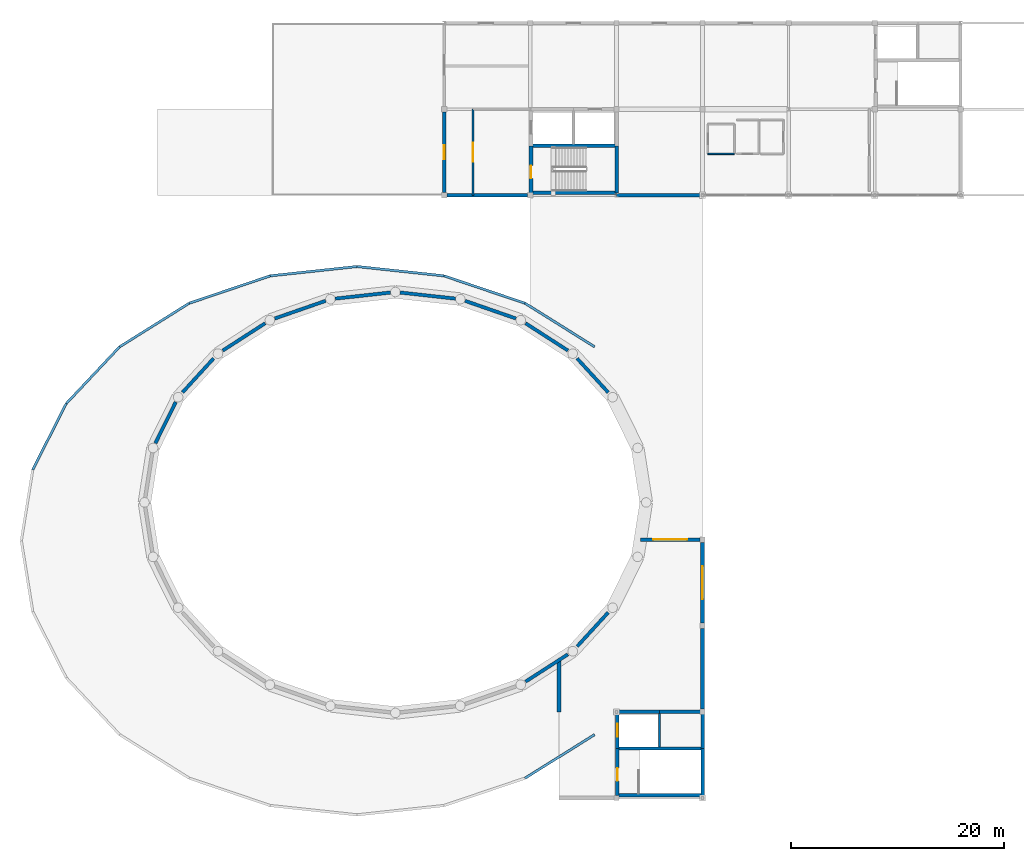
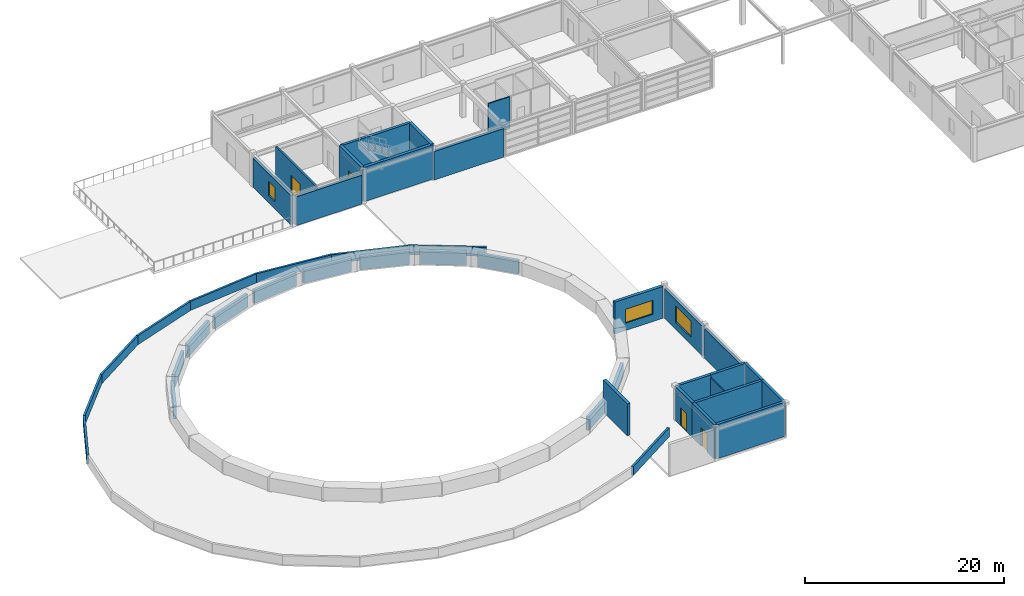
# One storey, part 16 of 26: 42 walls, 4 doors, 3 windows, 7 openings.
"""IFC4 building model written with IfcOpenShell, lengths in metres."""

import ifcopenshell
import ifcopenshell.guid

model = None  # the IFC model being written
_history = None  # IfcOwnerHistory: only IFC2X3 demands one
_inside = {}  # id of a spatial element -> (the spatial element, [elements in it])
_under = {}  # id of a project, library or spatial element -> (it, [spatial elements below it])
_declared = {}  # id of a project -> (the project, [libraries it declares])
_typed = {}  # id of a type object -> (the type object, [elements of that type])
_made_of = {}  # id of a material, layer set ... -> (it, [elements and type objects made of it])


def new_model(schema):
    """Start an empty IFC model of exactly this schema.

    Asked for "IFC4X3", IfcOpenShell would pick the latest addendum, in which some entities
    have other attributes; the version numbers below select the first issue.
    IFC2X3 requires an IfcOwnerHistory on every rooted entity: one is made here for all.
    """
    global model, _history
    if schema == "IFC4X3":
        model = ifcopenshell.file(schema_version=(4, 3, 0, 0))
    else:
        model = ifcopenshell.file(schema=schema)
    _inside.clear()
    _under.clear()
    _declared.clear()
    _typed.clear()
    _made_of.clear()
    _history = None
    if model.schema == "IFC2X3":
        org = make("IfcOrganization", Name="unknown")
        user = make(
            "IfcPersonAndOrganization",
            ThePerson=make("IfcPerson", FamilyName="unknown"),
            TheOrganization=org,
        )
        app = make(
            "IfcApplication",
            ApplicationDeveloper=org,
            Version="unknown",
            ApplicationFullName="unknown",
            ApplicationIdentifier="unknown",
        )
        _history = make(
            "IfcOwnerHistory",
            OwningUser=user,
            OwningApplication=app,
            ChangeAction="ADDED",
            CreationDate=0,
        )
    return model


def make(cls, **values):
    """One entity of the class cls with the attributes given. An attribute that is None is left unset."""
    return model.create_entity(
        cls, **{name: value for name, value in values.items() if value is not None}
    )


def rooted(cls, **values):
    """An entity with a GlobalId (a new one), such as an element, a storey or a relation."""
    return make(cls, GlobalId=ifcopenshell.guid.new(), OwnerHistory=_history, **values)


def si_unit(unit_type, name, prefix=None):
    """IfcSIUnit, for example si_unit("LENGTHUNIT", "METRE", prefix="MILLI")."""
    return make("IfcSIUnit", UnitType=unit_type, Prefix=prefix, Name=name)


def assignment(units):
    """IfcUnitAssignment: the units of a project."""
    return None if units is None else make("IfcUnitAssignment", Units=units)


def point(xyz):
    """IfcCartesianPoint."""
    return None if xyz is None else make("IfcCartesianPoint", Coordinates=xyz)


def direction(xyz):
    """IfcDirection."""
    return None if xyz is None else make("IfcDirection", DirectionRatios=xyz)


def frame(location, z_axis=None, x_axis=None):
    """IfcAxis2Placement3D, a coordinate frame: its origin and axes. An axis left out is left unset."""
    return make(
        "IfcAxis2Placement3D",
        Location=point(location),
        Axis=direction(z_axis),
        RefDirection=direction(x_axis),
    )


def frame_2d(location, x_axis=None):
    """IfcAxis2Placement2D, a coordinate frame in the plane: its origin and x axis."""
    return make(
        "IfcAxis2Placement2D", Location=point(location), RefDirection=direction(x_axis)
    )


def origin():
    """The frame at (0, 0, 0) with its axes left unset."""
    return frame((0.0, 0.0, 0.0))


def place(relative_to, where):
    """IfcLocalPlacement: puts the frame where relative to a parent placement (None: the world)."""
    return make(
        "IfcLocalPlacement", PlacementRelTo=relative_to, RelativePlacement=where
    )


def context(
    kind, dimensions, precision=None, world=None, true_north=None, identifier=None
):
    """IfcGeometricRepresentationContext, for example the 3D "Model" context."""
    return make(
        "IfcGeometricRepresentationContext",
        ContextIdentifier=identifier,
        ContextType=kind,
        CoordinateSpaceDimension=dimensions,
        Precision=precision,
        WorldCoordinateSystem=world,
        TrueNorth=true_north,
    )


def subcontext(parent, identifier, kind, view, scale=None):
    """IfcGeometricRepresentationSubContext, for example "Body" below "Model"."""
    return make(
        "IfcGeometricRepresentationSubContext",
        ContextIdentifier=identifier,
        ContextType=kind,
        ParentContext=parent,
        TargetScale=scale,
        TargetView=view,
    )


def project(units=None, contexts=None):
    """IfcProject with its units and contexts."""
    return rooted(
        "IfcProject",
        Name="project",
        RepresentationContexts=contexts,
        UnitsInContext=assignment(units),
    )


def spatial(cls, under=None, at=None, **own):
    """A site, building, storey or space (cls), placed at a placement, below another one or the project."""
    s = rooted(cls, ObjectPlacement=at, **own)
    if under is not None:
        _under.setdefault(under.id(), (under, []))[1].append(s)
    return s


def profile(cls, at=None, kind="AREA", **sizes):
    """A parametric profile (cls). Its sizes go by their IFC names, for example OverallWidth=200.0."""
    return make(cls, ProfileType=kind, Position=at, **sizes)


def rectangle(**sizes):
    """IfcRectangleProfileDef."""
    return profile("IfcRectangleProfileDef", **sizes)


def extrude(swept, where, along, depth):
    """IfcExtrudedAreaSolid: the profile swept, set in the frame where, extruded along a direction by depth."""
    return make(
        "IfcExtrudedAreaSolid",
        SweptArea=swept,
        Position=where,
        ExtrudedDirection=direction(along),
        Depth=depth,
    )


def shape(context_of_items, identifier, shape_type, items):
    """IfcShapeRepresentation: the items that make up one representation, for example the "Body"."""
    return make(
        "IfcShapeRepresentation",
        ContextOfItems=context_of_items,
        RepresentationIdentifier=identifier,
        RepresentationType=shape_type,
        Items=items,
    )


def material(Name=None, Category=None):
    """IfcMaterial."""
    return make("IfcMaterial", Name=Name, Category=Category)


def layer(
    of_material, thickness, ventilated=None, Name=None, Category=None, Priority=None
):
    """IfcMaterialLayer: one layer of a wall or slab, of a material (None: an air gap)."""
    return make(
        "IfcMaterialLayer",
        Material=of_material,
        LayerThickness=thickness,
        IsVentilated=ventilated,
        Name=Name,
        Category=Category,
        Priority=Priority,
    )


def layer_set(layers, Name=None):
    """IfcMaterialLayerSet."""
    return make("IfcMaterialLayerSet", MaterialLayers=layers, LayerSetName=Name)


def made_of(thing, what):
    """Note that an element or type object is made of a material, layer set ...; save() writes the relation."""
    if what is not None:
        _made_of.setdefault(what.id(), (what, []))[1].append(thing)
    return thing


def type_object(cls, material=None, **own):
    """A type object (cls), such as IfcWallType, which elements share."""
    return made_of(rooted(cls, **own), material)


def element(
    cls,
    number,
    at=None,
    inside=None,
    cuts=None,
    type_object=None,
    material=None,
    context=None,
    identifier="Body",
    shape_type=None,
    held_by="IfcProductDefinitionShape",
    body=None,
    shapes=None,
    **own,
):
    """One element of the class cls, such as IfcWall. Its Tag is "e" and its number.

    at: its placement. inside: the storey or other place that contains it. cuts: it is an
    opening in that element (IfcRelVoidsElement). A single representation is given by context,
    identifier, shape_type and body (its items); several are given by shapes. held_by: the class
    of the entity that holds the representations. save() writes the other relations.
    """
    e = rooted(cls, Tag="e%d" % number, ObjectPlacement=at, **own)
    if body is not None:
        shapes = [shape(context, identifier, shape_type, body)]
    if shapes is not None:
        e.Representation = make(held_by, Representations=shapes)
    if inside is not None:
        _inside.setdefault(inside.id(), (inside, []))[1].append(e)
    if cuts is not None:
        rooted(
            "IfcRelVoidsElement", RelatingBuildingElement=cuts, RelatedOpeningElement=e
        )
    if type_object is not None:
        _typed.setdefault(type_object.id(), (type_object, []))[1].append(e)
    return made_of(e, material)


def fill(opening, filler):
    """IfcRelFillsElement: the door or window that sits in an opening."""
    return rooted(
        "IfcRelFillsElement",
        RelatingOpeningElement=opening,
        RelatedBuildingElement=filler,
    )


def aggregate(whole, parts):
    """IfcRelAggregates: a whole, such as a stair, and the parts it consists of."""
    return rooted("IfcRelAggregates", RelatingObject=whole, RelatedObjects=parts)


def save(model, path):
    """Write the relations noted so far, then the file.

    IfcRelAggregates (storeys below a building ...), IfcRelContainedInSpatialStructure (elements
    in a storey), IfcRelDefinesByType, IfcRelAssociatesMaterial and IfcRelDeclares: one each for
    every whole, place, type object, material and project.
    """
    for whole, parts in _under.values():
        aggregate(whole, parts)
    for where, things in _inside.values():
        rooted(
            "IfcRelContainedInSpatialStructure",
            RelatedElements=things,
            RelatingStructure=where,
        )
    for kind, things in _typed.values():
        rooted("IfcRelDefinesByType", RelatedObjects=things, RelatingType=kind)
    for what, things in _made_of.values():
        rooted("IfcRelAssociatesMaterial", RelatedObjects=things, RelatingMaterial=what)
    for by, libraries in _declared.values():
        rooted("IfcRelDeclares", RelatingContext=by, RelatedDefinitions=libraries)
    model.write(path)


model = new_model("IFC4")

# Units and contexts
model_context = context("Model", 3, precision=1e-05, world=origin(), true_north=direction((0.0, 1.0)))
body_context = subcontext(model_context, "Body", "Model", "MODEL_VIEW")
ifc_project = project(units=[si_unit("LENGTHUNIT", "METRE"), si_unit("AREAUNIT", "SQUARE_METRE"), si_unit("VOLUMEUNIT", "CUBIC_METRE"), si_unit("PLANEANGLEUNIT", "RADIAN"), si_unit("MASSUNIT", "GRAM", prefix="KILO")], contexts=[model_context])

# Site, building, storey
site_placement = place(None, origin())
site = spatial("IfcSite", under=ifc_project, at=site_placement, CompositionType="ELEMENT")
building_placement = place(site_placement, origin())
building = spatial("IfcBuilding", under=site, at=building_placement, Name="Parian Resonance Hall", CompositionType="ELEMENT")
storey_placement = place(building_placement, frame((0.0, 0.0, 19.199951171875)))
storey = spatial("IfcBuildingStorey", under=building, at=storey_placement, Name="L04", CompositionType="ELEMENT", Elevation=19.199951171875)

# Wall
ifc_material_1 = material(Name="Concrete C40/50", Category="concrete")
ifc_layer_1 = layer(ifc_material_1, 0.31005859375)
ifc_layer_set_1 = layer_set([ifc_layer_1], Name="Concrete C40/50")
wall_type_1 = type_object("IfcWallType", Name="CW310", PredefinedType="SHEAR", material=ifc_layer_set_1)
wall_1_placement = place(storey_placement, frame((56.77001953125, 77.550048828125, 0.0), z_axis=(0.0, 0.0, 1.0), x_axis=(1.0, 0.0, 0.0)))
element("IfcWall", 1, at=wall_1_placement, inside=storey, type_object=wall_type_1, Name="Core K1 stair-lift divider wall L04", PredefinedType="SHEAR", context=body_context, shape_type="SweptSolid", body=[
    extrude(rectangle(XDim=8.06005859375, YDim=0.31005859375, at=frame_2d((4.030029296875, 0.0))), origin(), (0.0, 0.0, 1.0), 4.199951171875),
])

# Wall, opening, door
wall_2_placement = place(storey_placement, frame((64.889892578125, 16.449951171875, 0.0), z_axis=(0.0, 0.0, 1.0), x_axis=(0.0, 1.0, 0.0)))
wall_2 = element("IfcWall", 2, at=wall_2_placement, inside=storey, type_object=wall_type_1, Name="Core K3 stairwell west shear wall L04", PredefinedType="SHEAR", context=body_context, shape_type="SweptSolid", body=[
    extrude(rectangle(XDim=4.400146484375, YDim=0.31005859375, at=frame_2d((2.2001953125, 0.0))), origin(), (0.0, 0.0, 1.0), 4.199951171875),
])
opening_1_placement = place(wall_2_placement, frame((1.35009765625, 0.0, 0.0)))
opening_1 = element("IfcOpeningElement", 3, at=opening_1_placement, cuts=wall_2, Name="Opening FD-01", PredefinedType="OPENING", context=body_context, shape_type="SweptSolid", body=[
    extrude(rectangle(XDim=1.199951171875, YDim=2.25, at=frame_2d((0.60009765625, 1.125))), frame((0.0, 0.1650390625, 0.0), z_axis=(0.0, -1.0, 0.0), x_axis=(1.0, 0.0, 0.0)), (0.0, 0.0, 1.0), 0.330078125),
])
ifc_material_2 = material(Name="Fire-rated acoustic steel and narra timber door", Category="steel")
door_type_1 = type_object("IfcDoorType", Name="FD-01", OperationType="NOTDEFINED", PredefinedType="DOOR", material=ifc_material_2)
door_1_placement = place(opening_1_placement, origin())
door_1 = element("IfcDoor", 4, at=door_1_placement, inside=storey, type_object=door_type_1, Name="Exit stair ST-03 fire door L04", OperationType="SINGLE_SWING_RIGHT", OverallHeight=2.25, OverallWidth=1.199951171875, PredefinedType="DOOR", context=body_context, shape_type="SweptSolid", body=[
    extrude(rectangle(XDim=1.199951171875, YDim=2.25, at=frame_2d((0.60009765625, 1.125))), frame((0.0, 0.02490234375, 0.0), z_axis=(0.0, -1.0, 0.0), x_axis=(1.0, 0.0, 0.0)), (0.0, 0.0, 1.0), 0.050048828125),
])
fill(opening_1, door_1)

wall_3_placement = place(storey_placement, frame((64.889892578125, 20.85009765625, 0.0), z_axis=(0.0, 0.0, 1.0), x_axis=(0.0, 1.0, 0.0)))
wall_3 = element("IfcWall", 5, at=wall_3_placement, inside=storey, type_object=wall_type_1, Name="Core K3 lift shaft west shear wall L04", PredefinedType="SHEAR", context=body_context, shape_type="SweptSolid", body=[
    extrude(rectangle(XDim=3.449951171875, YDim=0.31005859375, at=frame_2d((1.72509765625, 0.0))), origin(), (0.0, 0.0, 1.0), 4.199951171875),
])
opening_2_placement = place(wall_3_placement, frame((1.125, 0.0, 0.0)))
opening_2 = element("IfcOpeningElement", 6, at=opening_2_placement, cuts=wall_3, Name="Opening LD-01", PredefinedType="OPENING", context=body_context, shape_type="SweptSolid", body=[
    extrude(rectangle(XDim=1.199951171875, YDim=2.199951171875, at=frame_2d((0.60009765625, 1.10009765625))), frame((0.0, 0.1650390625, 0.0), z_axis=(0.0, -1.0, 0.0), x_axis=(1.0, 0.0, 0.0)), (0.0, 0.0, 1.0), 0.330078125),
])
ifc_material_3 = material(Name="Stainless steel and bronze elevator cab", Category="steel")
door_type_2 = type_object("IfcDoorType", Name="DOOR-LIFT-1200x2200", OperationType="SLIDING_TO_LEFT", PredefinedType="DOOR", material=ifc_material_3)
door_2_placement = place(opening_2_placement, origin())
door_2 = element("IfcDoor", 7, at=door_2_placement, inside=storey, type_object=door_type_2, Name="Lift LF-04 sliding landing door L04", OperationType="SLIDING_TO_LEFT", OverallHeight=2.199951171875, OverallWidth=1.199951171875, PredefinedType="DOOR", context=body_context, shape_type="SweptSolid", body=[
    extrude(rectangle(XDim=1.199951171875, YDim=2.199951171875, at=frame_2d((0.60009765625, 1.10009765625))), frame((0.0, 0.02490234375, 0.0), z_axis=(0.0, -1.0, 0.0), x_axis=(1.0, 0.0, 0.0)), (0.0, 0.0, 1.0), 0.050048828125),
])
fill(opening_2, door_2)

# Walls
wall_4_placement = place(storey_placement, frame((64.889892578125, 24.300048828125, 0.0), z_axis=(0.0, 0.0, 1.0), x_axis=(1.0, 0.0, 0.0)))
element("IfcWall", 8, at=wall_4_placement, inside=storey, type_object=wall_type_1, Name="Core K3 north-west shaft wall L04", PredefinedType="SHEAR", context=body_context, shape_type="SweptSolid", body=[
    extrude(rectangle(XDim=3.960205078125, YDim=0.31005859375, at=frame_2d((1.97998046875, 0.0))), origin(), (0.0, 0.0, 1.0), 4.199951171875),
])
wall_5_placement = place(storey_placement, frame((68.85009765625, 24.300048828125, 0.0), z_axis=(0.0, 0.0, 1.0), x_axis=(1.0, 0.0, 0.0)))
element("IfcWall", 9, at=wall_5_placement, inside=storey, type_object=wall_type_1, Name="Core K3 north-east shaft wall L04", PredefinedType="SHEAR", context=body_context, shape_type="SweptSolid", body=[
    extrude(rectangle(XDim=4.059814453125, YDim=0.31005859375, at=frame_2d((2.02978515625, 0.0))), origin(), (0.0, 0.0, 1.0), 4.199951171875),
])
wall_6_placement = place(storey_placement, frame((72.909912109375, 24.300048828125, 0.0), z_axis=(0.0, 0.0, 1.0), x_axis=(0.0, -1.0, 0.0)))
element("IfcWall", 10, at=wall_6_placement, inside=storey, type_object=wall_type_1, Name="Core K3 east shaft wall L04", PredefinedType="SHEAR", context=body_context, shape_type="SweptSolid", body=[
    extrude(rectangle(XDim=3.449951171875, YDim=0.31005859375, at=frame_2d((1.72509765625, 0.0))), origin(), (0.0, 0.0, 1.0), 4.199951171875),
])
wall_7_placement = place(storey_placement, frame((72.909912109375, 20.85009765625, 0.0), z_axis=(0.0, 0.0, 1.0), x_axis=(0.0, -1.0, 0.0)))
element("IfcWall", 11, at=wall_7_placement, inside=storey, type_object=wall_type_1, Name="Core K3 stairwell east wall L04", PredefinedType="SHEAR", context=body_context, shape_type="SweptSolid", body=[
    extrude(rectangle(XDim=4.400146484375, YDim=0.31005859375, at=frame_2d((2.2001953125, 0.0))), origin(), (0.0, 0.0, 1.0), 4.199951171875),
])
for number, where, z_axis, x_axis, name in (
    (12, (72.909912109375, 16.449951171875, 0.0), (0.0, 0.0, 1.0), (-1.0, 0.0, 0.0), "Core K3 stairwell south wall L04"),
    (13, (64.889892578125, 20.85009765625, 0.0), (0.0, 0.0, 1.0), (1.0, 0.0, 0.0), "Core K3 stair-lift divider wall L04"),
):
    element("IfcWall", number, at=place(storey_placement, frame(where, z_axis=z_axis, x_axis=x_axis)), inside=storey, type_object=wall_type_1, Name=name, PredefinedType="SHEAR", context=body_context, shape_type="SweptSolid", body=[
        extrude(rectangle(XDim=8.02001953125, YDim=0.31005859375, at=frame_2d((4.010009765625, 0.0))), origin(), (0.0, 0.0, 1.0), 4.199951171875),
    ])

# Wall, opening, door
ifc_material_4 = material(Name="Concrete C40/50", Category="concrete")
ifc_layer_2 = layer(ifc_material_4, 0.35009765625)
ifc_layer_set_2 = layer_set([ifc_layer_2], Name="Concrete C40/50")
wall_type_2 = type_object("IfcWallType", Name="CW350", PredefinedType="SHEAR", material=ifc_layer_set_2)
wall_8_placement = place(storey_placement, frame((56.77001953125, 73.1298828125, 0.0), z_axis=(0.0, 0.0, 1.0), x_axis=(0.0, 1.0, 0.0)))
wall_8 = element("IfcWall", 14, at=wall_8_placement, inside=storey, type_object=wall_type_2, Name="Core K1 stairwell west shear wall L04", PredefinedType="SHEAR", context=body_context, shape_type="SweptSolid", body=[
    extrude(rectangle(XDim=4.420166015625, YDim=0.35009765625, at=frame_2d((2.2099609375, 0.0))), origin(), (0.0, 0.0, 1.0), 4.199951171875),
])
opening_3_placement = place(wall_8_placement, frame((1.35009765625, 0.0, 0.0)))
opening_3 = element("IfcOpeningElement", 15, at=opening_3_placement, cuts=wall_8, Name="Opening FD-01", PredefinedType="OPENING", context=body_context, shape_type="SweptSolid", body=[
    extrude(rectangle(XDim=1.199951171875, YDim=2.25, at=frame_2d((0.60009765625, 1.125))), frame((0.0, 0.18505859375, 0.0), z_axis=(0.0, -1.0, 0.0), x_axis=(1.0, 0.0, 0.0)), (0.0, 0.0, 1.0), 0.3701171875),
])
door_3_placement = place(opening_3_placement, origin())
door_3 = element("IfcDoor", 16, at=door_3_placement, inside=storey, type_object=door_type_1, Name="Exit stair ST-01 fire door L04", OperationType="SINGLE_SWING_RIGHT", OverallHeight=2.25, OverallWidth=1.199951171875, PredefinedType="DOOR", context=body_context, shape_type="SweptSolid", body=[
    extrude(rectangle(XDim=1.199951171875, YDim=2.25, at=frame_2d((0.60009765625, 1.125))), frame((0.0, 0.02490234375, 0.0), z_axis=(0.0, -1.0, 0.0), x_axis=(1.0, 0.0, 0.0)), (0.0, 0.0, 1.0), 0.050048828125),
])
fill(opening_3, door_3)

# Walls
wall_9_placement = place(storey_placement, frame((64.830078125, 77.550048828125, 0.0), z_axis=(0.0, 0.0, 1.0), x_axis=(0.0, -1.0, 0.0)))
element("IfcWall", 17, at=wall_9_placement, inside=storey, type_object=wall_type_2, Name="Core K1 stairwell east wall L04", PredefinedType="SHEAR", context=body_context, shape_type="SweptSolid", body=[
    extrude(rectangle(XDim=4.420166015625, YDim=0.35009765625, at=frame_2d((2.2099609375, 0.0))), origin(), (0.0, 0.0, 1.0), 4.199951171875),
])
wall_10_placement = place(storey_placement, frame((64.830078125, 73.1298828125, 0.0), z_axis=(0.0, 0.0, 1.0), x_axis=(-1.0, 0.0, 0.0)))
element("IfcWall", 18, at=wall_10_placement, inside=storey, type_object=wall_type_2, Name="Core K1 stairwell south wall L04", PredefinedType="SHEAR", context=body_context, shape_type="SweptSolid", body=[
    extrude(rectangle(XDim=8.06005859375, YDim=0.35009765625, at=frame_2d((4.030029296875, 0.0))), origin(), (0.0, 0.0, 1.0), 4.199951171875),
])
ifc_material_5 = material(Name="Concrete C35/45 parapet", Category="concrete")
ifc_layer_3 = layer(ifc_material_5, 0.22998046875)
ifc_layer_set_3 = layer_set([ifc_layer_3], Name="Concrete C35/45 parapet")
wall_type_3 = type_object("IfcWallType", Name="EW-PAR-230", PredefinedType="PARAPET", material=ifc_layer_set_3)
wall_11_placement = place(storey_placement, frame((56.199951171875, 62.743408203125, 0.0), z_axis=(0.0, 0.0, 1.0), x_axis=(0.847434839889, -0.530899418103, 0.0)))
element("IfcWall", 19, at=wall_11_placement, inside=storey, type_object=wall_type_3, Name="Elliptical Ring 3 roof parapet 04", PredefinedType="PARAPET", context=body_context, shape_type="SweptSolid", body=[
    extrude(rectangle(XDim=7.722900390625, YDim=0.22998046875, at=frame_2d((3.861328125, 0.0))), origin(), (0.0, 0.0, 1.0), 1.10009765625),
])
wall_12_placement = place(storey_placement, frame((48.57861328125, 65.32080078125, 0.0), z_axis=(0.0, 0.0, 1.0), x_axis=(0.947296607548, -0.320357827013, 0.0)))
element("IfcWall", 20, at=wall_12_placement, inside=storey, type_object=wall_type_3, Name="Elliptical Ring 3 roof parapet 05", PredefinedType="PARAPET", context=body_context, shape_type="SweptSolid", body=[
    extrude(rectangle(XDim=8.04541015625, YDim=0.22998046875, at=frame_2d((4.022705078125, 0.0))), origin(), (0.0, 0.0, 1.0), 1.10009765625),
])
for number, where, z_axis, x_axis, name in (
    (21, (40.39990234375, 66.199951171875, 0.0), (0.0, 0.0, 1.0), (0.994272266142, -0.106876848668, 0.0), "Elliptical Ring 3 roof parapet 06"),
    (22, (32.22119140625, 65.32080078125, 0.0), (0.0, 0.0, 1.0), (0.994272266142, 0.106876848668, 0.0), "Elliptical Ring 3 roof parapet 07"),
):
    element("IfcWall", number, at=place(storey_placement, frame(where, z_axis=z_axis, x_axis=x_axis)), inside=storey, type_object=wall_type_3, Name=name, PredefinedType="PARAPET", context=body_context, shape_type="SweptSolid", body=[
        extrude(rectangle(XDim=8.225830078125, YDim=0.22998046875, at=frame_2d((4.11279296875, 0.0))), origin(), (0.0, 0.0, 1.0), 1.10009765625),
    ])
wall_13_placement = place(storey_placement, frame((24.60009765625, 62.743408203125, 0.0), z_axis=(0.0, 0.0, 1.0), x_axis=(0.947293493077, 0.320367036341, 0.0)))
element("IfcWall", 23, at=wall_13_placement, inside=storey, type_object=wall_type_3, Name="Elliptical Ring 3 roof parapet 08", PredefinedType="PARAPET", context=body_context, shape_type="SweptSolid", body=[
    extrude(rectangle(XDim=8.045166015625, YDim=0.22998046875, at=frame_2d((4.0224609375, 0.0))), origin(), (0.0, 0.0, 1.0), 1.10009765625),
])
wall_14_placement = place(storey_placement, frame((18.055419921875, 58.643310546875, 0.0), z_axis=(0.0, 0.0, 1.0), x_axis=(0.847434839889, 0.530899418103, 0.0)))
element("IfcWall", 24, at=wall_14_placement, inside=storey, type_object=wall_type_3, Name="Elliptical Ring 3 roof parapet 09", PredefinedType="PARAPET", context=body_context, shape_type="SweptSolid", body=[
    extrude(rectangle(XDim=7.722900390625, YDim=0.22998046875, at=frame_2d((3.861328125, 0.0))), origin(), (0.0, 0.0, 1.0), 1.10009765625),
])
wall_15_placement = place(storey_placement, frame((13.03369140625, 53.300048828125, 0.0), z_axis=(0.0, 0.0, 1.0), x_axis=(0.684842129235, 0.728691469708, 0.0)))
element("IfcWall", 25, at=wall_15_placement, inside=storey, type_object=wall_type_3, Name="Elliptical Ring 3 roof parapet 10", PredefinedType="PARAPET", context=body_context, shape_type="SweptSolid", body=[
    extrude(rectangle(XDim=7.332763671875, YDim=0.22998046875, at=frame_2d((3.66650390625, 0.0))), origin(), (0.0, 0.0, 1.0), 1.10009765625),
])
wall_16_placement = place(storey_placement, frame((9.876708984375, 47.077392578125, 0.0), z_axis=(0.0, 0.0, 1.0), x_axis=(0.452440262938, 0.891794712068, 0.0)))
element("IfcWall", 26, at=wall_16_placement, inside=storey, type_object=wall_type_3, Name="Elliptical Ring 3 roof parapet 11", PredefinedType="PARAPET", context=body_context, shape_type="SweptSolid", body=[
    extrude(rectangle(XDim=6.977783203125, YDim=0.22998046875, at=frame_2d((3.48876953125, 0.0))), origin(), (0.0, 0.0, 1.0), 1.10009765625),
])
wall_17_placement = place(storey_placement, frame((62.74462890625, 22.156494140625, 0.0), z_axis=(0.0, 0.0, 1.0), x_axis=(-0.847434839889, -0.530899418103, 0.0)))
element("IfcWall", 27, at=wall_17_placement, inside=storey, type_object=wall_type_3, Name="Elliptical Ring 3 roof parapet 21", PredefinedType="PARAPET", context=body_context, shape_type="SweptSolid", body=[
    extrude(rectangle(XDim=7.722900390625, YDim=0.22998046875, at=frame_2d((3.861328125, 0.0))), origin(), (0.0, 0.0, 1.0), 1.10009765625),
])
ifc_material_6 = material(Name="Concrete C35/45 with white lime plaster and polychrome mosaic", Category="concrete")
ifc_layer_4 = layer(ifc_material_6, 0.320068359375)
ifc_layer_set_4 = layer_set([ifc_layer_4], Name="Concrete C35/45 with white lime plaster and polychrome mosaic")
wall_type_4 = type_object("IfcWallType", Name="EW-RING-320", PredefinedType="SOLIDWALL", material=ifc_layer_set_4)
wall_18_placement = place(storey_placement, frame((61.099365234375, 57.55078125, 0.0), z_axis=(0.0, 0.0, 1.0), x_axis=(0.674883067273, -0.737924688236, 0.0)))
element("IfcWall", 28, at=wall_18_placement, inside=storey, type_object=wall_type_4, Name="Upper concert drum wall 03", PredefinedType="SOLIDWALL", context=body_context, shape_type="SweptSolid", body=[
    extrude(rectangle(XDim=4.33740234375, YDim=0.320068359375, at=frame_2d((2.168701171875, 0.0))), origin(), (0.0, 0.0, 1.0), 1.650146484375),
])
wall_19_placement = place(storey_placement, frame((56.25, 60.857666015625, 0.0), z_axis=(0.0, 0.0, 1.0), x_axis=(0.840813675954, -0.541324636729, 0.0)))
element("IfcWall", 29, at=wall_19_placement, inside=storey, type_object=wall_type_4, Name="Upper concert drum wall 04", PredefinedType="SOLIDWALL", context=body_context, shape_type="SweptSolid", body=[
    extrude(rectangle(XDim=4.74267578125, YDim=0.320068359375, at=frame_2d((2.371337890625, 0.0))), origin(), (0.0, 0.0, 1.0), 1.650146484375),
])
wall_20_placement = place(storey_placement, frame((50.55810546875, 62.968994140625, 0.0), z_axis=(0.0, 0.0, 1.0), x_axis=(0.944588302148, -0.32825742862, 0.0)))
element("IfcWall", 30, at=wall_20_placement, inside=storey, type_object=wall_type_4, Name="Upper concert drum wall 05", PredefinedType="SOLIDWALL", context=body_context, shape_type="SweptSolid", body=[
    extrude(rectangle(XDim=5.072998046875, YDim=0.320068359375, at=frame_2d((2.53662109375, 0.0))), origin(), (0.0, 0.0, 1.0), 1.650146484375),
])
for number, where, z_axis, x_axis, name in (
    (31, (44.449951171875, 63.750244140625, 0.0), (0.0, 0.0, 1.0), (0.993956813629, -0.10977182079, 0.0), "Upper concert drum wall 06"),
    (32, (38.341796875, 63.175048828125, 0.0), (0.0, 0.0, 1.0), (0.993956813629, 0.10977182079, 0.0), "Upper concert drum wall 07"),
):
    element("IfcWall", number, at=place(storey_placement, frame(where, z_axis=z_axis, x_axis=x_axis)), inside=storey, type_object=wall_type_4, Name=name, PredefinedType="SOLIDWALL", context=body_context, shape_type="SweptSolid", body=[
        extrude(rectangle(XDim=5.239990234375, YDim=0.320068359375, at=frame_2d((2.6201171875, 0.0))), origin(), (0.0, 0.0, 1.0), 1.650146484375),
    ])
wall_21_placement = place(storey_placement, frame((32.64990234375, 61.3037109375, 0.0), z_axis=(0.0, 0.0, 1.0), x_axis=(0.944588302148, 0.32825742862, 0.0)))
element("IfcWall", 33, at=wall_21_placement, inside=storey, type_object=wall_type_4, Name="Upper concert drum wall 08", PredefinedType="SOLIDWALL", context=body_context, shape_type="SweptSolid", body=[
    extrude(rectangle(XDim=5.072998046875, YDim=0.320068359375, at=frame_2d((2.53662109375, 0.0))), origin(), (0.0, 0.0, 1.0), 1.650146484375),
])
wall_22_placement = place(storey_placement, frame((27.76220703125, 58.290283203125, 0.0), z_axis=(0.0, 0.0, 1.0), x_axis=(0.840813675954, 0.541324636729, 0.0)))
element("IfcWall", 34, at=wall_22_placement, inside=storey, type_object=wall_type_4, Name="Upper concert drum wall 09", PredefinedType="SOLIDWALL", context=body_context, shape_type="SweptSolid", body=[
    extrude(rectangle(XDim=4.74267578125, YDim=0.320068359375, at=frame_2d((2.371337890625, 0.0))), origin(), (0.0, 0.0, 1.0), 1.650146484375),
])
wall_23_placement = place(storey_placement, frame((23.973388671875, 54.35009765625, 0.0), z_axis=(0.0, 0.0, 1.0), x_axis=(0.674883067273, 0.737924688236, 0.0)))
element("IfcWall", 35, at=wall_23_placement, inside=storey, type_object=wall_type_4, Name="Upper concert drum wall 10", PredefinedType="SOLIDWALL", context=body_context, shape_type="SweptSolid", body=[
    extrude(rectangle(XDim=4.33740234375, YDim=0.320068359375, at=frame_2d((2.168701171875, 0.0))), origin(), (0.0, 0.0, 1.0), 1.650146484375),
])
wall_24_placement = place(storey_placement, frame((21.426513671875, 49.57470703125, 0.0), z_axis=(0.0, 0.0, 1.0), x_axis=(0.44266592796, 0.896686609816, 0.0)))
element("IfcWall", 36, at=wall_24_placement, inside=storey, type_object=wall_type_4, Name="Upper concert drum wall 11", PredefinedType="SOLIDWALL", context=body_context, shape_type="SweptSolid", body=[
    extrude(rectangle(XDim=4.32177734375, YDim=0.320068359375, at=frame_2d((2.160888671875, 0.0))), origin(), (0.0, 0.0, 1.0), 1.650146484375),
])
wall_25_placement = place(storey_placement, frame((60.23779296875, 29.709716796875, 0.0), z_axis=(0.0, 0.0, 1.0), x_axis=(-0.840813675954, -0.541324636729, 0.0)))
element("IfcWall", 37, at=wall_25_placement, inside=storey, type_object=wall_type_4, Name="Upper concert drum wall 21", PredefinedType="SOLIDWALL", context=body_context, shape_type="SweptSolid", body=[
    extrude(rectangle(XDim=4.74267578125, YDim=0.320068359375, at=frame_2d((2.371337890625, 0.0))), origin(), (0.0, 0.0, 1.0), 1.650146484375),
])
wall_26_placement = place(storey_placement, frame((64.026611328125, 33.64990234375, 0.0), z_axis=(0.0, 0.0, 1.0), x_axis=(-0.674883067273, -0.737924688236, 0.0)))
element("IfcWall", 38, at=wall_26_placement, inside=storey, type_object=wall_type_4, Name="Upper concert drum wall 22", PredefinedType="SOLIDWALL", context=body_context, shape_type="SweptSolid", body=[
    extrude(rectangle(XDim=4.33740234375, YDim=0.320068359375, at=frame_2d((2.168701171875, 0.0))), origin(), (0.0, 0.0, 1.0), 1.650146484375),
])
ifc_material_7 = material(Name="Concrete C35/45 with Carcar coral-limestone ashlar", Category="masonry")
ifc_layer_5 = layer(ifc_material_7, 0.340087890625)
ifc_layer_set_5 = layer_set([ifc_layer_5], Name="Concrete C35/45 with Carcar coral-limestone ashlar")
wall_type_5 = type_object("IfcWallType", Name="EW-STONE-340", PredefinedType="SOLIDWALL", material=ifc_layer_set_5)
wall_27_placement = place(storey_placement, frame((72.89990234375, 24.550048828125, 0.0), z_axis=(0.0, 0.0, 1.0), x_axis=(0.0, 1.0, 0.0)))
element("IfcWall", 39, at=wall_27_placement, inside=storey, type_object=wall_type_5, Name="Perimeter closure wall L04", PredefinedType="SOLIDWALL", context=body_context, shape_type="SweptSolid", body=[
    extrude(rectangle(XDim=7.599853515625, YDim=0.340087890625, at=frame_2d((3.7998046875, 0.0))), origin(), (0.0, 0.0, 1.0), 3.626953125),
])

# Wall, opening, window
wall_28_placement = place(storey_placement, frame((72.89990234375, 32.64990234375, 0.0), z_axis=(0.0, 0.0, 1.0), x_axis=(0.0, 1.0, 0.0)))
wall_28 = element("IfcWall", 40, at=wall_28_placement, inside=storey, type_object=wall_type_5, Name="Perimeter closure wall L04", PredefinedType="SOLIDWALL", context=body_context, shape_type="SweptSolid", body=[
    extrude(rectangle(XDim=7.60009765625, YDim=0.340087890625, at=frame_2d((3.800048828125, 0.0))), origin(), (0.0, 0.0, 1.0), 3.626953125),
])
opening_4_placement = place(wall_28_placement, frame((2.25, 0.0, 0.89990234375)))
opening_4 = element("IfcOpeningElement", 41, at=opening_4_placement, cuts=wall_28, Name="Opening WN-50", PredefinedType="OPENING", context=body_context, shape_type="SweptSolid", body=[
    extrude(rectangle(XDim=3.10009765625, YDim=2.0, at=frame_2d((1.550048828125, 1.0))), frame((0.0, 0.179931640625, 0.0), z_axis=(0.0, -1.0, 0.0), x_axis=(1.0, 0.0, 0.0)), (0.0, 0.0, 1.0), 0.360107421875),
])
ifc_material_8 = material(Name="Acoustic laminated double glazing", Category="glass")
window_type_1 = type_object("IfcWindowType", Name="WIN-3100x2000", PartitioningType="SINGLE_PANEL", PredefinedType="WINDOW", material=ifc_material_8)
window_1_placement = place(opening_4_placement, origin())
window_1 = element("IfcWindow", 42, at=window_1_placement, inside=storey, type_object=window_type_1, Name="Acoustic window L04-0113", OverallHeight=2.0, OverallWidth=3.10009765625, PartitioningType="SINGLE_PANEL", PredefinedType="WINDOW", context=body_context, shape_type="SweptSolid", body=[
    extrude(rectangle(XDim=3.10009765625, YDim=2.0, at=frame_2d((1.550048828125, 1.0))), frame((0.0, 0.030029296875, 0.0), z_axis=(0.0, -1.0, 0.0), x_axis=(1.0, 0.0, 0.0)), (0.0, 0.0, 1.0), 0.06005859375),
])
fill(opening_4, window_1)

wall_29_placement = place(storey_placement, frame((72.64990234375, 40.5, 0.0), z_axis=(0.0, 0.0, 1.0), x_axis=(-1.0, 0.0, 0.0)))
wall_29 = element("IfcWall", 43, at=wall_29_placement, inside=storey, type_object=wall_type_5, Name="Perimeter closure wall L04", PredefinedType="SOLIDWALL", context=body_context, shape_type="SweptSolid", body=[
    extrude(rectangle(XDim=5.598876953125, YDim=0.340087890625, at=frame_2d((2.79931640625, 0.0))), origin(), (0.0, 0.0, 1.0), 3.900146484375),
])
opening_5_placement = place(wall_29_placement, frame((1.199462890625, 0.0, 0.89990234375)))
opening_5 = element("IfcOpeningElement", 44, at=opening_5_placement, cuts=wall_29, Name="Opening WN-51", PredefinedType="OPENING", context=body_context, shape_type="SweptSolid", body=[
    extrude(rectangle(XDim=3.199951171875, YDim=1.699951171875, at=frame_2d((1.60009765625, 0.85009765625))), frame((0.0, 0.179931640625, 0.0), z_axis=(0.0, -1.0, 0.0), x_axis=(1.0, 0.0, 0.0)), (0.0, 0.0, 1.0), 0.360107421875),
])
ifc_material_9 = material(Name="Acoustic laminated double glazing", Category="glass")
window_type_2 = type_object("IfcWindowType", Name="WIN-3200x1700", PartitioningType="SINGLE_PANEL", PredefinedType="WINDOW", material=ifc_material_9)
window_2_placement = place(opening_5_placement, origin())
window_2 = element("IfcWindow", 45, at=window_2_placement, inside=storey, type_object=window_type_2, Name="Acoustic window L04-0114", OverallHeight=1.699951171875, OverallWidth=3.199951171875, PartitioningType="SINGLE_PANEL", PredefinedType="WINDOW", context=body_context, shape_type="SweptSolid", body=[
    extrude(rectangle(XDim=3.199951171875, YDim=1.699951171875, at=frame_2d((1.60009765625, 0.85009765625))), frame((0.0, 0.030029296875, 0.0), z_axis=(0.0, -1.0, 0.0), x_axis=(1.0, 0.0, 0.0)), (0.0, 0.0, 1.0), 0.06005859375),
])
fill(opening_5, window_2)

# Wall
wall_30_placement = place(storey_placement, frame((59.39990234375, 29.169921875, 0.0), z_axis=(0.0, 0.0, 1.0), x_axis=(0.0, -1.0, 0.0)))
element("IfcWall", 46, at=wall_30_placement, inside=storey, type_object=wall_type_5, Name="Perimeter closure wall L04", PredefinedType="SOLIDWALL", context=body_context, shape_type="SweptSolid", body=[
    extrude(rectangle(XDim=4.869873046875, YDim=0.340087890625, at=frame_2d((2.43505859375, 0.0))), origin(), (0.0, 0.0, 1.0), 3.900146484375),
])

# Wall, opening, window
wall_31_placement = place(storey_placement, frame((48.60009765625, 80.75, 0.0), z_axis=(0.0, 0.0, 1.0), x_axis=(0.0, -1.0, 0.0)))
wall_31 = element("IfcWall", 47, at=wall_31_placement, inside=storey, type_object=wall_type_5, Name="Perimeter closure wall L04", PredefinedType="SOLIDWALL", context=body_context, shape_type="SweptSolid", body=[
    extrude(rectangle(XDim=7.60009765625, YDim=0.340087890625, at=frame_2d((3.800048828125, 0.0))), origin(), (0.0, 0.0, 1.0), 3.59716796875),
])
opening_6_placement = place(wall_31_placement, frame((3.125, 0.0, 0.89990234375)))
opening_6 = element("IfcOpeningElement", 48, at=opening_6_placement, cuts=wall_31, Name="Opening WN-18", PredefinedType="OPENING", context=body_context, shape_type="SweptSolid", body=[
    extrude(rectangle(XDim=1.35009765625, YDim=1.75, at=frame_2d((0.675048828125, 0.875))), frame((0.0, 0.179931640625, 0.0), z_axis=(0.0, -1.0, 0.0), x_axis=(1.0, 0.0, 0.0)), (0.0, 0.0, 1.0), 0.360107421875),
])
ifc_material_10 = material(Name="Acoustic laminated double glazing", Category="glass")
window_type_3 = type_object("IfcWindowType", Name="WIN-1350x1750", PartitioningType="SINGLE_PANEL", PredefinedType="WINDOW", material=ifc_material_10)
window_3_placement = place(opening_6_placement, origin())
window_3 = element("IfcWindow", 49, at=window_3_placement, inside=storey, type_object=window_type_3, Name="Acoustic window L04-0127", OverallHeight=1.75, OverallWidth=1.35009765625, PartitioningType="SINGLE_PANEL", PredefinedType="WINDOW", context=body_context, shape_type="SweptSolid", body=[
    extrude(rectangle(XDim=1.35009765625, YDim=1.75, at=frame_2d((0.675048828125, 0.875))), frame((0.0, 0.030029296875, 0.0), z_axis=(0.0, -1.0, 0.0), x_axis=(1.0, 0.0, 0.0)), (0.0, 0.0, 1.0), 0.06005859375),
])
fill(opening_6, window_3)

# Walls
wall_32_placement = place(storey_placement, frame((48.85009765625, 72.89990234375, 0.0), z_axis=(0.0, 0.0, 1.0), x_axis=(1.0, 0.0, 0.0)))
element("IfcWall", 50, at=wall_32_placement, inside=storey, type_object=wall_type_5, Name="Perimeter closure wall L04", PredefinedType="SOLIDWALL", context=body_context, shape_type="SweptSolid", body=[
    extrude(rectangle(XDim=7.599853515625, YDim=0.340087890625, at=frame_2d((3.7998046875, 0.0))), origin(), (0.0, 0.0, 1.0), 3.537109375),
])
wall_33_placement = place(storey_placement, frame((64.800048828125, 72.89990234375, 0.0), z_axis=(0.0, 0.0, 1.0), x_axis=(1.0, 0.0, 0.0)))
element("IfcWall", 51, at=wall_33_placement, inside=storey, type_object=wall_type_5, Name="Perimeter closure wall L04", PredefinedType="SOLIDWALL", context=body_context, shape_type="SweptSolid", body=[
    extrude(rectangle(XDim=8.099853515625, YDim=0.340087890625, at=frame_2d((4.0498046875, 0.0))), origin(), (0.0, 0.0, 1.0), 3.485107421875),
])

# Wall, opening, door
ifc_material_11 = material(Name="Concrete C35/45 fire barrier", Category="concrete")
ifc_layer_6 = layer(ifc_material_11, 0.199951171875)
ifc_layer_set_6 = layer_set([ifc_layer_6], Name="Concrete C35/45 fire barrier")
wall_type_6 = type_object("IfcWallType", Name="FW200", PredefinedType="PARTITIONING", material=ifc_layer_set_6)
wall_34_placement = place(storey_placement, frame((51.300048828125, 72.89990234375, 0.0), z_axis=(0.0, 0.0, 1.0), x_axis=(0.0, 1.0, 0.0)))
wall_34 = element("IfcWall", 52, at=wall_34_placement, inside=storey, type_object=wall_type_6, Name="Firefighting lift lobby K1 west fire barrier L04", PredefinedType="PARTITIONING", context=body_context, shape_type="SweptSolid", body=[
    extrude(rectangle(XDim=8.10009765625, YDim=0.199951171875, at=frame_2d((4.050048828125, 0.0))), origin(), (0.0, 0.0, 1.0), 3.900146484375),
])
opening_7_placement = place(wall_34_placement, frame((3.14990234375, 0.0, 0.0)))
opening_7 = element("IfcOpeningElement", 53, at=opening_7_placement, cuts=wall_34, Name="Opening FD-02", PredefinedType="OPENING", context=body_context, shape_type="SweptSolid", body=[
    extrude(rectangle(XDim=1.800048828125, YDim=2.25, at=frame_2d((0.89990234375, 1.125))), frame((0.0, 0.10986328125, 0.0), z_axis=(0.0, -1.0, 0.0), x_axis=(1.0, 0.0, 0.0)), (0.0, 0.0, 1.0), 0.219970703125),
])
ifc_material_12 = material(Name="Fire-rated acoustic steel and narra timber door", Category="steel")
door_type_3 = type_object("IfcDoorType", Name="FD-02", OperationType="NOTDEFINED", PredefinedType="DOOR", material=ifc_material_12)
door_4_placement = place(opening_7_placement, origin())
door_4 = element("IfcDoor", 54, at=door_4_placement, inside=storey, type_object=door_type_3, Name="Firefighting lift lobby K1 smoke-seal fire door L04", OperationType="DOUBLE_DOOR_SINGLE_SWING", OverallHeight=2.25, OverallWidth=1.800048828125, PredefinedType="DOOR", context=body_context, shape_type="SweptSolid", body=[
    extrude(rectangle(XDim=1.800048828125, YDim=2.25, at=frame_2d((0.89990234375, 1.125))), frame((0.0, 0.02490234375, 0.0), z_axis=(0.0, -1.0, 0.0), x_axis=(1.0, 0.0, 0.0)), (0.0, 0.0, 1.0), 0.050048828125),
])
fill(opening_7, door_4)

# Walls
ifc_material_13 = material(Name="Concrete C35/45 acoustic plumbing chase wall", Category="concrete")
ifc_layer_7 = layer(ifc_material_13, 0.14990234375)
ifc_layer_set_7 = layer_set([ifc_layer_7], Name="Concrete C35/45 acoustic plumbing chase wall")
wall_type_7 = type_object("IfcWallType", Name="PW150", PredefinedType="PLUMBINGWALL", material=ifc_layer_set_7)
wall_35_placement = place(storey_placement, frame((68.85009765625, 21.010009765625, 0.0), z_axis=(0.0, 0.0, 1.0), x_axis=(0.0, 1.0, 0.0)))
element("IfcWall", 55, at=wall_35_placement, inside=storey, type_object=wall_type_7, Name="Core K3 shaft plumbing/riser divider L04", PredefinedType="PLUMBINGWALL", context=body_context, shape_type="SweptSolid", body=[
    extrude(rectangle(XDim=3.1298828125, YDim=0.14990234375, at=frame_2d((1.56494140625, 0.0))), origin(), (0.0, 0.0, 1.0), 3.85009765625),
])
wall_36_placement = place(storey_placement, frame((75.89990234375, 76.800048828125, 0.0), z_axis=(0.0, 0.0, 1.0), x_axis=(-1.0, 0.0, 0.0)))
element("IfcWall", 56, at=wall_36_placement, inside=storey, type_object=wall_type_7, Name="Interior acoustic partition IW-L04-0247", PredefinedType="PLUMBINGWALL", context=body_context, shape_type="SweptSolid", body=[
    extrude(rectangle(XDim=2.5, YDim=0.14990234375, at=frame_2d((1.25, 0.0))), origin(), (0.0, 0.0, 1.0), 3.920166015625),
])

save(model, "model.ifc")
